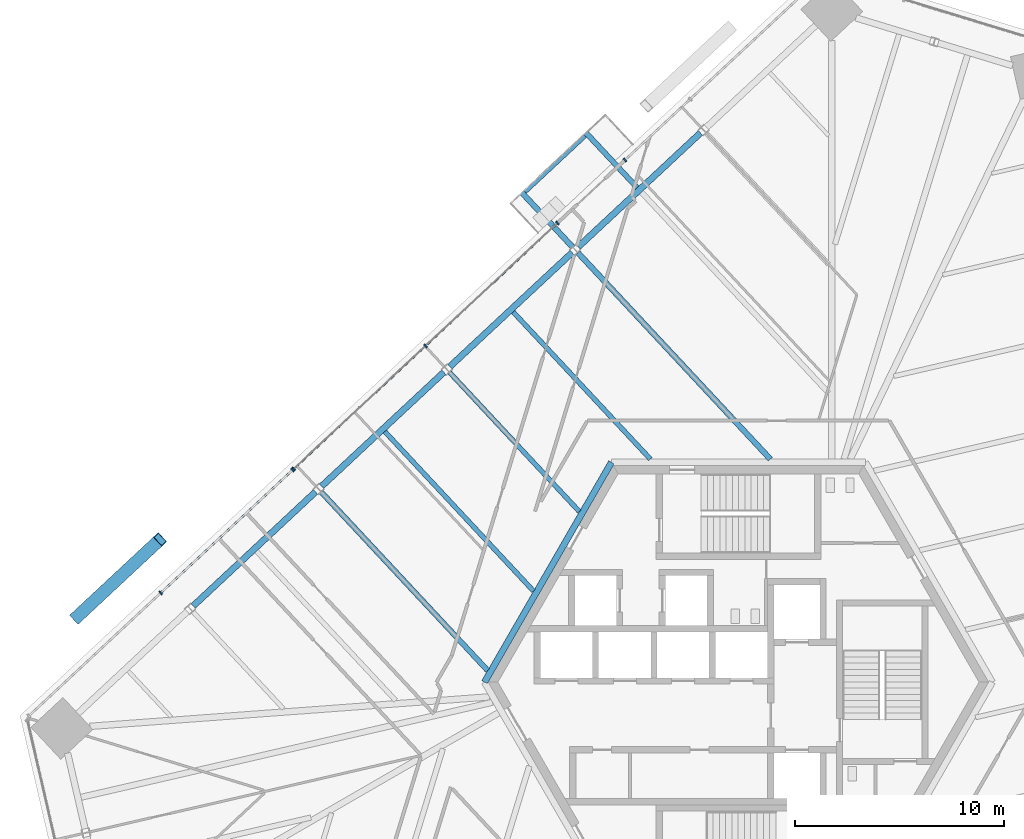
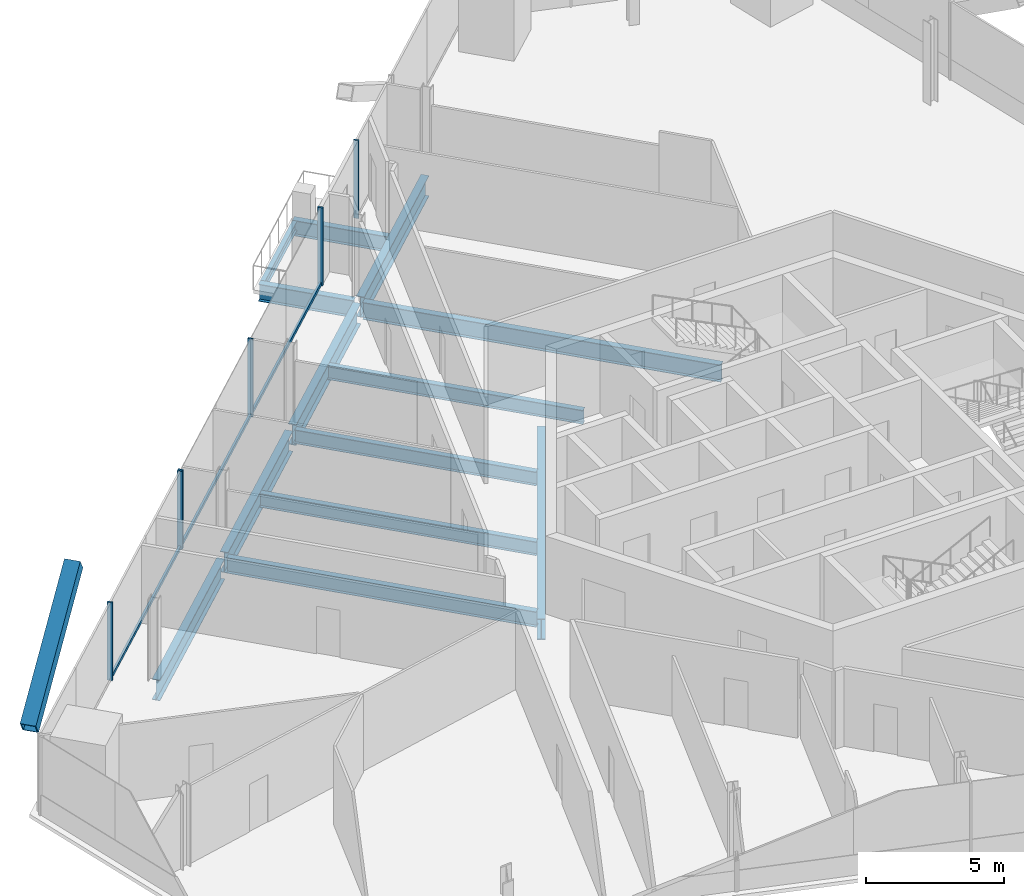
# One storey, part 8 of 18: 13 beams, 10 members, 3 elements without a shape of their own.
"""IFC4 building model written with IfcOpenShell, lengths in metres."""

from ifc_helpers import new_model, si_unit, direction, frame, origin, origin_2d, place, context, subcontext, project, spatial, rectangle, hollow_rectangle, i_section, extrude, source, transform, mapped, material, material_profile, profile_set, type_object, element, aggregate, save


model = new_model("IFC4")

# Units and contexts
model_context = context("Model", 3, precision=1e-05, world=origin(), true_north=direction((0.0, 1.0)))
body_context = subcontext(model_context, "Body", "Model", "MODEL_VIEW")
ifc_project = project(units=[si_unit("LENGTHUNIT", "METRE"), si_unit("AREAUNIT", "SQUARE_METRE"), si_unit("VOLUMEUNIT", "CUBIC_METRE"), si_unit("PLANEANGLEUNIT", "RADIAN"), si_unit("MASSUNIT", "GRAM", prefix="KILO")], contexts=[model_context])

# Site, building, storey
site_placement = place(None, origin())
site = spatial("IfcSite", under=ifc_project, at=site_placement, CompositionType="ELEMENT")
building_placement = place(site_placement, origin())
building = spatial("IfcBuilding", under=site, at=building_placement, Name="Triune Harvest Tower", CompositionType="ELEMENT")
storey_placement = place(building_placement, frame((0.0, 0.0, 101.89990234375)))
storey = spatial("IfcBuildingStorey", under=building, at=storey_placement, Name="L25", CompositionType="ELEMENT", Elevation=101.89990234375)

# Beams
ifc_material_1 = material(Name="Steel ASTM A992 Gr 50", Category="steel")
ifc_material_profile_1 = material_profile(ifc_material_1, i_section(OverallWidth=0.3046875, OverallDepth=0.914306640625, WebThickness=0.0166015625, FlangeThickness=0.02587890625, at=origin_2d()), Name="W36x160")
ifc_profile_set_1 = profile_set([ifc_material_profile_1], Name="Steel ASTM A992 Gr 50")
beam_type_1 = type_object("IfcBeamType", Name="CG-1 Core ring girder W36x160", PredefinedType="BEAM", material=ifc_profile_set_1)
shared_shape_1 = source(origin(), body_context, "Body", "SweptSolid", [
    extrude(i_section(OverallWidth=0.3046875, OverallDepth=0.914306640625, WebThickness=0.0166015625, FlangeThickness=0.02587890625, at=origin_2d()), origin(), (0.0, 0.0, 1.0), 12.176025390625),
])
beam_1_placement = place(storey_placement, frame((-6.087890625, 10.544677734375, -0.6171875), z_axis=(-0.5000099932, -0.866019634131, 0.0), x_axis=(0.866019634131, -0.5000099932, 0.0)))
element("IfcBeam", 1, at=beam_1_placement, inside=storey, type_object=beam_type_1, Name="beam/L25/CG3", PredefinedType="BEAM", context=body_context, shape_type="MappedRepresentation", body=[
    mapped(shared_shape_1, transform((0.0, 0.0, 0.0), scale=1.0)),
])
ifc_material_2 = material(Name="Steel ASTM A992 Gr 50", Category="steel")
ifc_material_profile_2 = material_profile(ifc_material_2, i_section(OverallWidth=0.3046875, OverallDepth=0.914306640625, WebThickness=0.0166015625, FlangeThickness=0.02587890625, at=origin_2d()), Name="W36x160")
ifc_profile_set_2 = profile_set([ifc_material_profile_2], Name="Steel ASTM A992 Gr 50")
beam_type_2 = type_object("IfcBeamType", Name="SB-1 Spandrel beam W36x160", PredefinedType="SPANDREL", material=ifc_profile_set_2)
shared_shape_2 = source(origin(), body_context, "Body", "SweptSolid", [
    extrude(i_section(OverallWidth=0.3046875, OverallDepth=0.914306640625, WebThickness=0.0166015625, FlangeThickness=0.02587890625, at=origin_2d()), origin(), (0.0, 0.0, 1.0), 8.018310546875),
])
for number, where, z_axis, x_axis, name in (
    (2, (-7.9755859375, 20.600341796875, -0.6171875), (-0.731353889465, -0.681998158623, 0.0), (0.681998158623, -0.731353889465, 0.0), "beam/L25/SB11"),
    (3, (-14.129638671875, 14.86181640625, -0.6171875), (-0.731353889465, -0.681998158623, 0.0), (0.681998158623, -0.731353889465, 0.0), "beam/L25/SB12"),
):
    element("IfcBeam", number, at=place(storey_placement, frame(where, z_axis=z_axis, x_axis=x_axis)), inside=storey, type_object=beam_type_2, Name=name, PredefinedType="SPANDREL", context=body_context, shape_type="MappedRepresentation", body=[
        mapped(shared_shape_2, transform((0.0, 0.0, 0.0), scale=1.0)),
    ])
shared_shape_3 = source(origin(), body_context, "Body", "SweptSolid", [
    extrude(i_section(OverallWidth=0.3046875, OverallDepth=0.914306640625, WebThickness=0.0166015625, FlangeThickness=0.02587890625, at=origin_2d()), origin(), (0.0, 0.0, 1.0), 8.01806640625),
])
for number, where, z_axis, x_axis, name in (
    (4, (-1.82177734375, 26.339111328125, -0.6171875), (-0.731339727109, -0.682013345582, 0.0), (0.682013345582, -0.731339727109, 0.0), "beam/L25/SB10"),
    (5, (-20.28369140625, 9.123046875, -0.6171875), (-0.731339727109, -0.682013345582, 0.0), (0.682013345582, -0.731339727109, 0.0), "beam/L25/SB13"),
):
    element("IfcBeam", number, at=place(storey_placement, frame(where, z_axis=z_axis, x_axis=x_axis)), inside=storey, type_object=beam_type_2, Name=name, PredefinedType="SPANDREL", context=body_context, shape_type="MappedRepresentation", body=[
        mapped(shared_shape_3, transform((0.0, 0.0, 0.0), scale=1.0)),
    ])
ifc_material_3 = material(Name="Steel ASTM A992 Gr 50", Category="steel")
ifc_material_profile_3 = material_profile(ifc_material_3, i_section(OverallWidth=0.2666015625, OverallDepth=0.7568359375, WebThickness=0.013916015625, FlangeThickness=0.019287109375, at=origin_2d()), Name="W30x108")
ifc_profile_set_3 = profile_set([ifc_material_profile_3], Name="Steel ASTM A992 Gr 50")
beam_type_3 = type_object("IfcBeamType", Name="JT-5 Floor joist W30x108", PredefinedType="JOIST", material=ifc_profile_set_3)
shared_shape_4 = source(origin(), body_context, "Body", "SweptSolid", [
    extrude(i_section(OverallWidth=0.2666015625, OverallDepth=0.7568359375, WebThickness=0.013916015625, FlangeThickness=0.019287109375, at=origin_2d()), origin(), (0.0, 0.0, 1.0), 13.535400390625),
])
beam_2_placement = place(storey_placement, frame((-7.700927734375, 20.59619140625, -0.538330078125), z_axis=(0.681991710808, -0.731359902093, 0.0), x_axis=(0.731359902093, 0.681991710808, 0.0)))
element("IfcBeam", 6, at=beam_2_placement, inside=storey, type_object=beam_type_3, Name="beam/L25/JT17", PredefinedType="JOIST", context=body_context, shape_type="MappedRepresentation", body=[
    mapped(shared_shape_4, transform((0.0, 0.0, 0.0), scale=1.0)),
])
ifc_material_4 = material(Name="Steel ASTM A992 Gr 50", Category="steel")
ifc_material_profile_4 = material_profile(ifc_material_4, i_section(OverallWidth=0.22900390625, OverallDepth=0.612060546875, WebThickness=0.011962890625, FlangeThickness=0.01953125, at=origin_2d()), Name="W24x84")
ifc_profile_set_4 = profile_set([ifc_material_profile_4], Name="Steel ASTM A992 Gr 50")
beam_type_4 = type_object("IfcBeamType", Name="JT-3 Floor joist W24x84", PredefinedType="JOIST", material=ifc_profile_set_4)
shared_shape_5 = source(origin(), body_context, "Body", "SweptSolid", [
    extrude(i_section(OverallWidth=0.22900390625, OverallDepth=0.612060546875, WebThickness=0.011962890625, FlangeThickness=0.01953125, at=origin_2d()), origin(), (0.0, 0.0, 1.0), 9.64990234375),
])
beam_3_placement = place(storey_placement, frame((-10.8037109375, 17.754638671875, -0.466064453125), z_axis=(0.681982850357, -0.731368164346, 0.0), x_axis=(0.731368164346, 0.681982850357, 0.0)))
element("IfcBeam", 7, at=beam_3_placement, inside=storey, type_object=beam_type_4, Name="beam/L25/JT18", PredefinedType="JOIST", context=body_context, shape_type="MappedRepresentation", body=[
    mapped(shared_shape_5, transform((0.0, 0.0, 0.0), scale=1.0)),
])
shared_shape_6 = source(origin(), body_context, "Body", "SweptSolid", [
    extrude(i_section(OverallWidth=0.22900390625, OverallDepth=0.612060546875, WebThickness=0.011962890625, FlangeThickness=0.01953125, at=origin_2d()), origin(), (0.0, 0.0, 1.0), 9.12890625),
])
beam_4_placement = place(storey_placement, frame((-13.854736328125, 14.857421875, -0.466064453125), z_axis=(0.681991349896, -0.731360238642, 0.0), x_axis=(0.731360238642, 0.681991349896, 0.0)))
element("IfcBeam", 8, at=beam_4_placement, inside=storey, type_object=beam_type_4, Name="beam/L25/JT19", PredefinedType="JOIST", context=body_context, shape_type="MappedRepresentation", body=[
    mapped(shared_shape_6, transform((0.0, 0.0, 0.0), scale=1.0)),
])
shared_shape_7 = source(origin(), body_context, "Body", "SweptSolid", [
    extrude(i_section(OverallWidth=0.22900390625, OverallDepth=0.612060546875, WebThickness=0.011962890625, FlangeThickness=0.01953125, at=origin_2d()), origin(), (0.0, 0.0, 1.0), 10.453369140625),
])
beam_5_placement = place(storey_placement, frame((-16.957763671875, 12.01611328125, -0.466064453125), z_axis=(0.681989491602, -0.731361971492, 0.0), x_axis=(0.731361971492, 0.681989491602, 0.0)))
element("IfcBeam", 9, at=beam_5_placement, inside=storey, type_object=beam_type_4, Name="beam/L25/JT20", PredefinedType="JOIST", context=body_context, shape_type="MappedRepresentation", body=[
    mapped(shared_shape_7, transform((0.0, 0.0, 0.0), scale=1.0)),
])
ifc_material_5 = material(Name="Steel ASTM A992 Gr 50", Category="steel")
ifc_material_profile_5 = material_profile(ifc_material_5, i_section(OverallWidth=0.253662109375, OverallDepth=0.683349609375, WebThickness=0.012451171875, FlangeThickness=0.01904296875, at=origin_2d()), Name="W27x94")
ifc_profile_set_5 = profile_set([ifc_material_profile_5], Name="Steel ASTM A992 Gr 50")
beam_type_5 = type_object("IfcBeamType", Name="JT-4 Floor joist W27x94", PredefinedType="JOIST", material=ifc_profile_set_5)
shared_shape_8 = source(origin(), body_context, "Body", "SweptSolid", [
    extrude(i_section(OverallWidth=0.253662109375, OverallDepth=0.683349609375, WebThickness=0.012451171875, FlangeThickness=0.01904296875, at=origin_2d()), origin(), (0.0, 0.0, 1.0), 11.70166015625),
])
beam_6_placement = place(storey_placement, frame((-20.0087890625, 9.118896484375, -0.50146484375), z_axis=(0.681994076682, -0.731357695913, 0.0), x_axis=(0.731357695913, 0.681994076682, 0.0)))
element("IfcBeam", 10, at=beam_6_placement, inside=storey, type_object=beam_type_5, Name="beam/L25/JT21", PredefinedType="JOIST", context=body_context, shape_type="MappedRepresentation", body=[
    mapped(shared_shape_8, transform((0.0, 0.0, 0.0), scale=1.0)),
])

# Member
ifc_material_6 = material(Name="Steel ASTM A572 Gr 50", Category="steel")
ifc_material_profile_6 = material_profile(ifc_material_6, hollow_rectangle(XDim=0.60009765625, YDim=0.60009765625, WallThickness=0.0400390625, at=origin_2d()), Name="Box 600x600x40")
ifc_profile_set_6 = profile_set([ifc_material_profile_6], Name="Steel ASTM A572 Gr 50")
member_type_1 = type_object("IfcMemberType", Name="BR-2 Brace Box 600x600x40", PredefinedType="BRACE", material=ifc_profile_set_6)
shared_shape_9 = source(origin(), body_context, "Body", "SweptSolid", [
    extrude(hollow_rectangle(XDim=0.60009765625, YDim=0.60009765625, WallThickness=0.0400390625, at=origin_2d()), origin(), (0.0, 0.0, 1.0), 6.566650390625),
])
member_1_placement = place(storey_placement, frame((-31.7548828125, 3.1005859375, 0.0), z_axis=(0.611675263583, 0.570331786006, 0.548247230537), x_axis=(-0.681957027051, 0.731392243093, 0.0)))
element("IfcMember", 11, at=member_1_placement, inside=storey, type_object=member_type_1, Name="brace/B3-F3/d2/2", PredefinedType="BRACE", context=body_context, shape_type="MappedRepresentation", body=[
    mapped(shared_shape_9, transform((0.0, 0.0, 0.0), scale=1.0)),
])

# Beams
ifc_material_7 = material(Name="Steel ASTM A992 Gr 50", Category="steel")
ifc_material_profile_7 = material_profile(ifc_material_7, i_section(OverallWidth=0.2666015625, OverallDepth=0.7568359375, WebThickness=0.013916015625, FlangeThickness=0.019287109375, at=origin_2d()), Name="W30x108")
ifc_profile_set_7 = profile_set([ifc_material_profile_7], Name="Steel ASTM A992 Gr 50")
beam_type_6 = type_object("IfcBeamType", Name="BJ-5 Balcony cantilever joist W30x108", PredefinedType="JOIST", material=ifc_profile_set_7)
shared_shape_10 = source(origin(), body_context, "Body", "SweptSolid", [
    extrude(i_section(OverallWidth=0.2666015625, OverallDepth=0.7568359375, WebThickness=0.013916015625, FlangeThickness=0.019287109375, at=origin_2d()), origin(), (0.0, 0.0, 1.0), 3.59765625),
])
beam_7_placement = place(storey_placement, frame((-7.934814453125, 20.8466796875, -0.538330078125), z_axis=(-0.681938553996, 0.731409467108, 0.0), x_axis=(-0.731409467108, -0.681938553996, 0.0)))
element("IfcBeam", 12, at=beam_7_placement, inside=storey, type_object=beam_type_6, Name="Balcony cantilever joist B3-F3 L25.4b", PredefinedType="JOIST", context=body_context, shape_type="MappedRepresentation", body=[
    mapped(shared_shape_10, transform((0.0, 0.0, 0.0), scale=1.0)),
])
ifc_material_8 = material(Name="Steel ASTM A992 Gr 50", Category="steel")
ifc_material_profile_8 = material_profile(ifc_material_8, i_section(OverallWidth=0.253662109375, OverallDepth=0.683349609375, WebThickness=0.012451171875, FlangeThickness=0.01904296875, at=origin_2d()), Name="W27x94")
ifc_profile_set_8 = profile_set([ifc_material_profile_8], Name="Steel ASTM A992 Gr 50")
beam_type_7 = type_object("IfcBeamType", Name="BJ-4 Balcony cantilever joist W27x94", PredefinedType="JOIST", material=ifc_profile_set_8)
shared_shape_11 = source(origin(), body_context, "Body", "SweptSolid", [
    extrude(i_section(OverallWidth=0.253662109375, OverallDepth=0.683349609375, WebThickness=0.012451171875, FlangeThickness=0.01904296875, at=origin_2d()), origin(), (0.0, 0.0, 1.0), 3.597412109375),
])
beam_8_placement = place(storey_placement, frame((-4.85791015625, 23.71630859375, -0.50146484375), z_axis=(-0.681972402572, 0.73137790651, 0.0), x_axis=(-0.73137790651, -0.681972402572, 0.0)))
element("IfcBeam", 13, at=beam_8_placement, inside=storey, type_object=beam_type_7, Name="Balcony cantilever joist B3-F3 L25.4a", PredefinedType="JOIST", context=body_context, shape_type="MappedRepresentation", body=[
    mapped(shared_shape_11, transform((0.0, 0.0, 0.0), scale=1.0)),
])

# Curtain wall, member
ifc_material_9 = material(Name="Aluminium bronze anodised", Category="aluminium")
curtain_wall_type_1 = type_object("IfcCurtainWallType", Name="CW-10 Balcony window wall with insulated spandrel infill", PredefinedType="NOTDEFINED", material=ifc_material_9)
curtain_wall_1_placement = place(storey_placement, origin())
curtain_wall_1 = element("IfcCurtainWall", 14, at=curtain_wall_1_placement, inside=storey, type_object=curtain_wall_type_1, Name="CW-10 B3-F3 L25 run 1")
ifc_material_10 = material(Name="Aluminium bronze anodised", Category="aluminium")
ifc_material_profile_9 = material_profile(ifc_material_10, rectangle(XDim=0.199951171875, YDim=0.074951171875, at=origin_2d()), Name="MU-6 mullion 75 x 200")
ifc_profile_set_9 = profile_set([ifc_material_profile_9], Name="Aluminium bronze anodised")
member_type_2 = type_object("IfcMemberType", Name="MU-6 mullion 75 x 200", PredefinedType="MULLION", material=ifc_profile_set_9)
shared_shape_12 = source(origin(), body_context, "Body", "SweptSolid", [
    extrude(rectangle(XDim=0.199951171875, YDim=0.074951171875, at=origin_2d()), origin(), (0.0, 0.0, 1.0), 3.440185546875),
])
member_2_placement = place(storey_placement, frame((-5.44140625, 25.0400390625, 0.0), z_axis=(0.0, 0.0, 1.0), x_axis=(0.681998722179, -0.73135336394, 0.0)))
member_2 = element("IfcMember", 15, at=member_2_placement, type_object=member_type_2, Name="CW-10 mullion B3-F3 1.4", PredefinedType="MULLION", context=body_context, shape_type="MappedRepresentation", body=[
    mapped(shared_shape_12, transform((0.0, 0.0, 0.0), scale=1.0)),
])
aggregate(curtain_wall_1, [member_2])

# Curtain wall, members
ifc_material_11 = material(Name="Aluminium bronze anodised", Category="aluminium")
curtain_wall_type_2 = type_object("IfcCurtainWallType", Name="CW-6 Balcony window wall", PredefinedType="NOTDEFINED", material=ifc_material_11)
curtain_wall_2_placement = place(storey_placement, origin())
curtain_wall_2 = element("IfcCurtainWall", 16, at=curtain_wall_2_placement, inside=storey, type_object=curtain_wall_type_2, Name="CW-6 B3-F3 L25 run 2")
member_3_placement = place(storey_placement, frame((-8.68017578125, 22.019775390625, 0.0), z_axis=(0.0, 0.0, 1.0), x_axis=(0.682000083183, -0.73135209478, 0.0)))
member_3 = element("IfcMember", 17, at=member_3_placement, type_object=member_type_2, Name="CW-6 mullion B3-F3 2.1", PredefinedType="MULLION", context=body_context, shape_type="MappedRepresentation", body=[
    mapped(shared_shape_12, transform((0.0, 0.0, 0.0), scale=1.0)),
])
member_4_placement = place(storey_placement, frame((-15.00390625, 16.122802734375, 0.0), z_axis=(0.0, 0.0, 1.0), x_axis=(0.682000083183, -0.73135209478, 0.0)))
member_4 = element("IfcMember", 18, at=member_4_placement, type_object=member_type_2, Name="CW-6 mullion B3-F3 2.3", PredefinedType="MULLION", context=body_context, shape_type="MappedRepresentation", body=[
    mapped(shared_shape_12, transform((0.0, 0.0, 0.0), scale=1.0)),
])
member_5_placement = place(storey_placement, frame((-21.327880859375, 10.225830078125, 0.0), z_axis=(0.0, 0.0, 1.0), x_axis=(0.682000083183, -0.73135209478, 0.0)))
member_5 = element("IfcMember", 19, at=member_5_placement, type_object=member_type_2, Name="CW-6 mullion B3-F3 2.5", PredefinedType="MULLION", context=body_context, shape_type="MappedRepresentation", body=[
    mapped(shared_shape_12, transform((0.0, 0.0, 0.0), scale=1.0)),
])

curtain_wall_3_placement = place(storey_placement, origin())
curtain_wall_3 = element("IfcCurtainWall", 20, at=curtain_wall_3_placement, inside=storey, type_object=curtain_wall_type_1, Name="CW-10 B3-F3 L25 run 1002")
member_6_placement = place(storey_placement, frame((-21.382568359375, 10.174560546875, 0.0), z_axis=(0.0, 0.0, 1.0), x_axis=(0.681997361186, -0.731354633085, 0.0)))
member_6 = element("IfcMember", 21, at=member_6_placement, type_object=member_type_2, Name="CW-10 mullion B3-F3 1002.1", PredefinedType="MULLION", context=body_context, shape_type="MappedRepresentation", body=[
    mapped(shared_shape_12, transform((0.0, 0.0, 0.0), scale=1.0)),
])
member_7_placement = place(storey_placement, frame((-27.70654296875, 4.277587890625, 0.0), z_axis=(0.0, 0.0, 1.0), x_axis=(0.681997361186, -0.731354633085, 0.0)))
member_7 = element("IfcMember", 22, at=member_7_placement, type_object=member_type_2, Name="CW-10 mullion B3-F3 1002.3", PredefinedType="MULLION", context=body_context, shape_type="MappedRepresentation", body=[
    mapped(shared_shape_12, transform((0.0, 0.0, 0.0), scale=1.0)),
])

# Beam
ifc_material_12 = material(Name="Steel ASTM A992 Gr 50", Category="steel")
ifc_material_profile_10 = material_profile(ifc_material_12, i_section(OverallWidth=0.180908203125, OverallDepth=0.41650390625, WebThickness=0.010986328125, FlangeThickness=0.01806640625, at=origin_2d()), Name="W16x57")
ifc_profile_set_10 = profile_set([ifc_material_profile_10], Name="Steel ASTM A992 Gr 50")
beam_type_8 = type_object("IfcBeamType", Name="BE-1 balcony edge beam W16x57", PredefinedType="BEAM", material=ifc_profile_set_10)
shared_shape_13 = source(origin(), body_context, "Body", "SweptSolid", [
    extrude(i_section(OverallWidth=0.180908203125, OverallDepth=0.41650390625, WebThickness=0.010986328125, FlangeThickness=0.01806640625, at=origin_2d()), origin(), (0.0, 0.0, 1.0), 3.947021484375),
])
beam_9_placement = place(storey_placement, frame((-10.22900390625, 23.502685546875, -0.3681640625), z_axis=(0.731355502675, 0.681996428662, 0.0), x_axis=(-0.681996428662, 0.731355502675, 0.0)))
element("IfcBeam", 23, at=beam_9_placement, inside=storey, type_object=beam_type_8, Name="Balcony edge beam B3-F3 L25.4", PredefinedType="BEAM", context=body_context, shape_type="MappedRepresentation", body=[
    mapped(shared_shape_13, transform((0.0, 0.0, 0.0), scale=1.0)),
])

# Member
ifc_material_13 = material(Name="Aluminium bronze anodised", Category="aluminium")
ifc_material_profile_11 = material_profile(ifc_material_13, rectangle(XDim=0.090087890625, YDim=0.14990234375, at=origin_2d()), Name="TR-6 transom 90 x 150")
ifc_profile_set_11 = profile_set([ifc_material_profile_11], Name="Aluminium bronze anodised")
member_type_3 = type_object("IfcMemberType", Name="TR-6 transom 90 x 150", PredefinedType="USERDEFINED", material=ifc_profile_set_11)
shared_shape_14 = source(origin(), body_context, "Body", "SweptSolid", [
    extrude(rectangle(XDim=0.090087890625, YDim=0.14990234375, at=origin_2d()), origin(), (0.0, 0.0, 1.0), 8.57177734375),
])
member_8_placement = place(storey_placement, frame((-8.70751953125, 21.994384765625, 0.0751953125), z_axis=(-0.731355440198, -0.68199649566, 0.0), x_axis=(0.68199649566, -0.731355440198, 0.0)))
member_8 = element("IfcMember", 24, at=member_8_placement, type_object=member_type_3, Name="CW-6 transom B3-F3 2.1", ObjectType="TRANSOM", PredefinedType="USERDEFINED", context=body_context, shape_type="MappedRepresentation", body=[
    mapped(shared_shape_14, transform((0.0, 0.0, 0.0), scale=1.0)),
])

shared_shape_15 = source(origin(), body_context, "Body", "SweptSolid", [
    extrude(rectangle(XDim=0.090087890625, YDim=0.14990234375, at=origin_2d()), origin(), (0.0, 0.0, 1.0), 8.571533203125),
])
member_9_placement = place(storey_placement, frame((-15.031494140625, 16.09716796875, 0.0751953125), z_axis=(-0.731356399008, -0.681995467455, 0.0), x_axis=(0.681995467455, -0.731356399008, 0.0)))
member_9 = element("IfcMember", 25, at=member_9_placement, type_object=member_type_3, Name="CW-6 transom B3-F3 2.2", ObjectType="TRANSOM", PredefinedType="USERDEFINED", context=body_context, shape_type="MappedRepresentation", body=[
    mapped(shared_shape_15, transform((0.0, 0.0, 0.0), scale=1.0)),
])

aggregate(curtain_wall_2, [member_3, member_4, member_5, member_8, member_9])

member_10_placement = place(storey_placement, frame((-21.41015625, 10.149169921875, 0.0751953125), z_axis=(-0.731342192356, -0.682010702028, 0.0), x_axis=(0.682010702028, -0.731342192356, 0.0)))
member_10 = element("IfcMember", 26, at=member_10_placement, type_object=member_type_3, Name="CW-10 transom B3-F3 1002.1", ObjectType="TRANSOM", PredefinedType="USERDEFINED", context=body_context, shape_type="MappedRepresentation", body=[
    mapped(shared_shape_15, transform((0.0, 0.0, 0.0), scale=1.0)),
])

aggregate(curtain_wall_3, [member_6, member_7, member_10])

save(model, "model.ifc")
